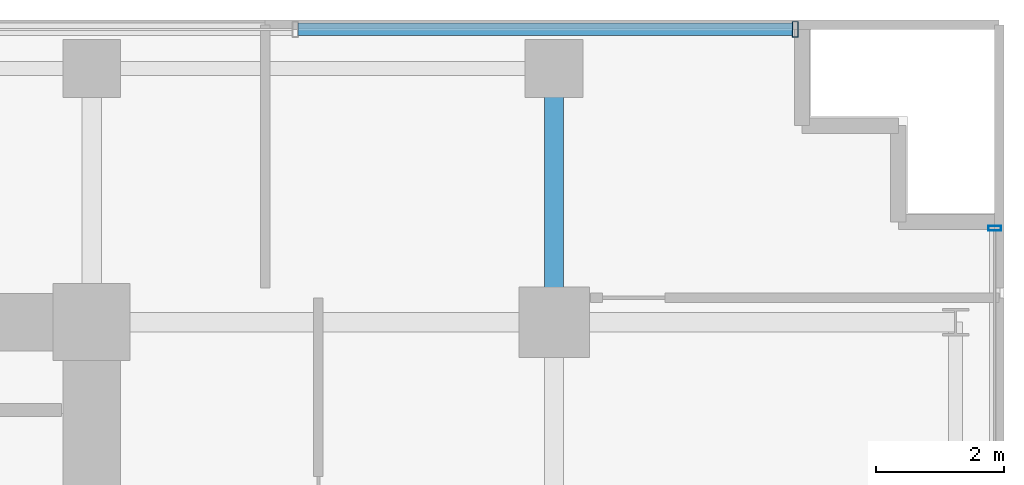
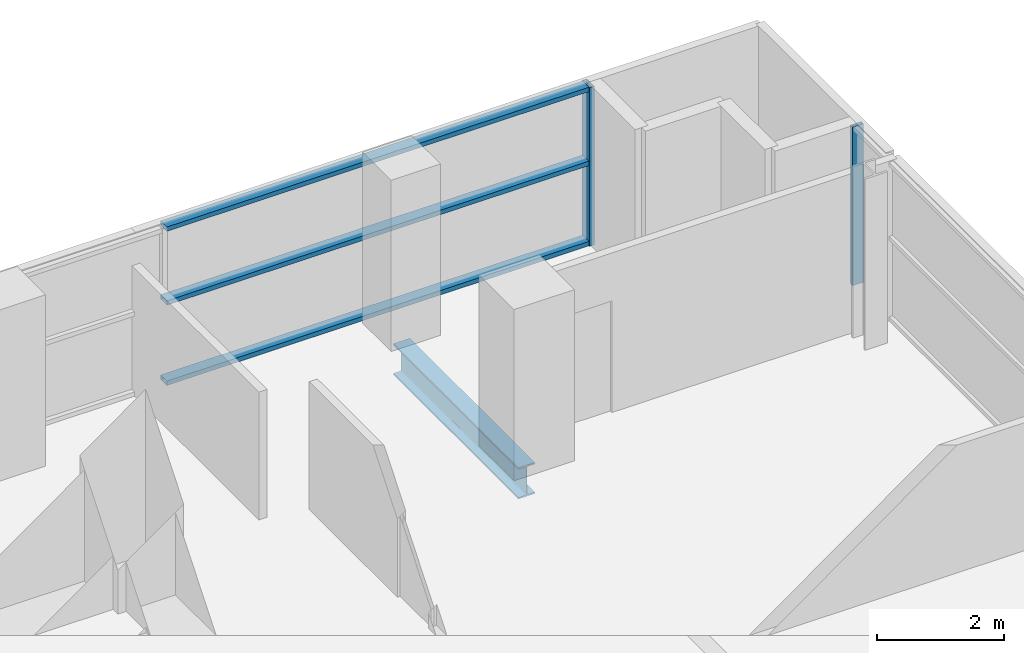
# One storey, part 21 of 30: 5 members, 1 beam, 2 elements without a shape of their own.
"""IFC4 building model written with IfcOpenShell, lengths in metres."""

from ifc_helpers import new_model, si_unit, direction, frame, origin, origin_2d, place, context, subcontext, project, spatial, hollow_rectangle, i_section, extrude, source, transform, mapped, material, layer, layer_set, material_profile, profile_set, type_object, element, aggregate, save


model = new_model("IFC4")

# Units and contexts
model_context = context("Model", 3, precision=1e-05, world=origin(), true_north=direction((0.0, 1.0)))
body_context = subcontext(model_context, "Body", "Model", "MODEL_VIEW")
ifc_project = project(units=[si_unit("LENGTHUNIT", "METRE"), si_unit("AREAUNIT", "SQUARE_METRE"), si_unit("VOLUMEUNIT", "CUBIC_METRE"), si_unit("PLANEANGLEUNIT", "RADIAN"), si_unit("MASSUNIT", "GRAM", prefix="KILO")], contexts=[model_context])

# Site, building, storey
site_placement = place(None, origin())
site = spatial("IfcSite", under=ifc_project, at=site_placement, CompositionType="ELEMENT")
building_placement = place(site_placement, origin())
building = spatial("IfcBuilding", under=site, at=building_placement, Name="Zarnakvel Exchange Tower", CompositionType="ELEMENT")
storey_placement = place(building_placement, frame((0.0, 0.0, 40.60009765625)))
storey = spatial("IfcBuildingStorey", under=building, at=storey_placement, Name="L10", CompositionType="ELEMENT", Elevation=40.60009765625)

# Beam
ifc_material_1 = material(Name="Steel S355", Category="steel")
ifc_material_profile_1 = material_profile(ifc_material_1, i_section(OverallWidth=0.300048828125, OverallDepth=0.60009765625, WebThickness=0.015380859375, FlangeThickness=0.030029296875, FilletRadius=0.027099609375, at=origin_2d()))
ifc_profile_set_1 = profile_set([ifc_material_profile_1], Name="Steel S355")
beam_type = type_object("IfcBeamType", Name="G-04", PredefinedType="BEAM", material=ifc_profile_set_1)
beam_placement = place(storey_placement, frame((21.60009765625, 13.5, -0.525146484375), z_axis=(0.0, 1.0, 0.0), x_axis=(-1.0, 0.0, 0.0)))
element("IfcBeam", 1, at=beam_placement, inside=storey, type_object=beam_type, Name="L10 Tower N-S Frame Beam", PredefinedType="BEAM", context=body_context, shape_type="SweptSolid", body=[
    extrude(i_section(OverallWidth=0.300048828125, OverallDepth=0.60009765625, WebThickness=0.015380859375, FlangeThickness=0.030029296875, FilletRadius=0.027099609375, at=origin_2d()), origin(), (0.0, 0.0, 1.0), 3.949951171875),
])

# Curtain wall, members
ifc_material_2 = material(Name="Architectural Bronze Anodised Aluminium", Category="aluminium")
ifc_layer_1 = layer(ifc_material_2, 0.239990234375)
ifc_layer_set_1 = layer_set([ifc_layer_1], Name="Architectural Bronze Anodised Aluminium")
curtain_wall_type_1 = type_object("IfcCurtainWallType", Name="CW-02", PredefinedType="NOTDEFINED", material=ifc_layer_set_1)
curtain_wall_1_placement = place(storey_placement, origin())
curtain_wall_1 = element("IfcCurtainWall", 2, at=curtain_wall_1_placement, inside=storey, type_object=curtain_wall_type_1, Name="L10 Curtain Wall CW-L10-N1 (CW-02)", PredefinedType="NOTDEFINED")
ifc_material_profile_2 = material_profile(ifc_material_2, hollow_rectangle(XDim=0.199951171875, YDim=0.0849609375, WallThickness=0.0048828125, at=origin_2d()))
ifc_profile_set_2 = profile_set([ifc_material_profile_2], Name="Architectural Bronze Anodised Aluminium")
member_type_1 = type_object("IfcMemberType", Name="CWT-02", PredefinedType="USERDEFINED", material=ifc_profile_set_2)
shared_shape_1 = source(origin(), body_context, "Body", "SweptSolid", [
    extrude(hollow_rectangle(XDim=0.199951171875, YDim=0.0849609375, WallThickness=0.0048828125, at=origin_2d()), origin(), (0.0, 0.0, 1.0), 7.693603515625),
])
member_1_placement = place(storey_placement, frame((17.616455078125, 18.06005859375, 0.04248046875), z_axis=(1.0, 0.0, 0.0), x_axis=(0.0, 1.0, 0.0)))
member_1 = element("IfcMember", 3, at=member_1_placement, type_object=member_type_1, Name="CW-02 transom 7.1", ObjectType="TRANSOM", PredefinedType="USERDEFINED", context=body_context, shape_type="MappedRepresentation", body=[
    mapped(shared_shape_1, transform((0.0, 0.0, 0.0), x_axis=(1.0, 0.0, 0.0), y_axis=(0.0, 1.0, 0.0), z_axis=(0.0, 0.0, 1.0), scale=1.0)),
])
member_2_placement = place(storey_placement, frame((17.616455078125, 18.06005859375, 1.588623046875), z_axis=(1.0, 0.0, 0.0), x_axis=(0.0, 1.0, 0.0)))
member_2 = element("IfcMember", 4, at=member_2_placement, type_object=member_type_1, Name="CW-02 transom 7.2", ObjectType="TRANSOM", PredefinedType="USERDEFINED", context=body_context, shape_type="MappedRepresentation", body=[
    mapped(shared_shape_1, transform((0.0, 0.0, 0.0), x_axis=(1.0, 0.0, 0.0), y_axis=(0.0, 1.0, 0.0), z_axis=(0.0, 0.0, 1.0), scale=1.0)),
])
member_3_placement = place(storey_placement, frame((17.616455078125, 18.06005859375, 3.012451171875), z_axis=(1.0, 0.0, 0.0), x_axis=(0.0, 1.0, 0.0)))
member_3 = element("IfcMember", 5, at=member_3_placement, type_object=member_type_1, Name="CW-02 transom 7.3", ObjectType="TRANSOM", PredefinedType="USERDEFINED", context=body_context, shape_type="MappedRepresentation", body=[
    mapped(shared_shape_1, transform((0.0, 0.0, 0.0), x_axis=(1.0, 0.0, 0.0), y_axis=(0.0, 1.0, 0.0), z_axis=(0.0, 0.0, 1.0), scale=1.0)),
])
ifc_material_profile_3 = material_profile(ifc_material_2, hollow_rectangle(XDim=0.239990234375, YDim=0.090087890625, WallThickness=0.006103515625, at=origin_2d()))
ifc_profile_set_3 = profile_set([ifc_material_profile_3], Name="Architectural Bronze Anodised Aluminium")
member_type_2 = type_object("IfcMemberType", Name="CWM-02", PredefinedType="MULLION", material=ifc_profile_set_3)
shared_shape_2 = source(origin(), body_context, "Body", "SweptSolid", [
    extrude(hollow_rectangle(XDim=0.239990234375, YDim=0.090087890625, WallThickness=0.006103515625, at=origin_2d()), origin(), (0.0, 0.0, 1.0), 3.054931640625),
])
member_4_placement = place(storey_placement, frame((25.35498046875, 18.06005859375, 0.0), z_axis=(0.0, 0.0, 1.0), x_axis=(0.0, 1.0, 0.0)))
member_4 = element("IfcMember", 6, at=member_4_placement, type_object=member_type_2, Name="CW-02 mullion 8", PredefinedType="MULLION", context=body_context, shape_type="MappedRepresentation", body=[
    mapped(shared_shape_2, transform((0.0, 0.0, 0.0), x_axis=(1.0, 0.0, 0.0), y_axis=(0.0, 1.0, 0.0), z_axis=(0.0, 0.0, 1.0), scale=1.0)),
])
aggregate(curtain_wall_1, [member_4, member_1, member_2, member_3])

# Curtain wall, member
ifc_layer_2 = layer(ifc_material_2, 0.199951171875)
ifc_layer_set_2 = layer_set([ifc_layer_2], Name="Architectural Bronze Anodised Aluminium")
curtain_wall_type_2 = type_object("IfcCurtainWallType", Name="CW-04", PredefinedType="NOTDEFINED", material=ifc_layer_set_2)
curtain_wall_2_placement = place(storey_placement, origin())
curtain_wall_2 = element("IfcCurtainWall", 7, at=curtain_wall_2_placement, inside=storey, type_object=curtain_wall_type_2, Name="L10 Curtain Wall CW-L10-E1 (CW-04)", PredefinedType="NOTDEFINED")
ifc_material_profile_4 = material_profile(ifc_material_2, hollow_rectangle(XDim=0.199951171875, YDim=0.074951171875, WallThickness=0.0048828125, at=origin_2d()))
ifc_profile_set_4 = profile_set([ifc_material_profile_4], Name="Architectural Bronze Anodised Aluminium")
member_type_3 = type_object("IfcMemberType", Name="CWM-04", PredefinedType="MULLION", material=ifc_profile_set_4)
shared_shape_3 = source(origin(), body_context, "Body", "SweptSolid", [
    extrude(hollow_rectangle(XDim=0.199951171875, YDim=0.074951171875, WallThickness=0.0048828125, at=origin_2d()), origin(), (0.0, 0.0, 1.0), 3.054931640625),
])
member_5_placement = place(storey_placement, frame((28.4599609375, 14.96240234375, 0.0), z_axis=(0.0, 0.0, 1.0), x_axis=(-1.0, 0.0, 0.0)))
member_5 = element("IfcMember", 8, at=member_5_placement, type_object=member_type_3, Name="CW-04 mullion 5", PredefinedType="MULLION", context=body_context, shape_type="MappedRepresentation", body=[
    mapped(shared_shape_3, transform((0.0, 0.0, 0.0), x_axis=(1.0, 0.0, 0.0), y_axis=(0.0, 1.0, 0.0), z_axis=(0.0, 0.0, 1.0), scale=1.0)),
])
aggregate(curtain_wall_2, [member_5])

save(model, "model.ifc")
